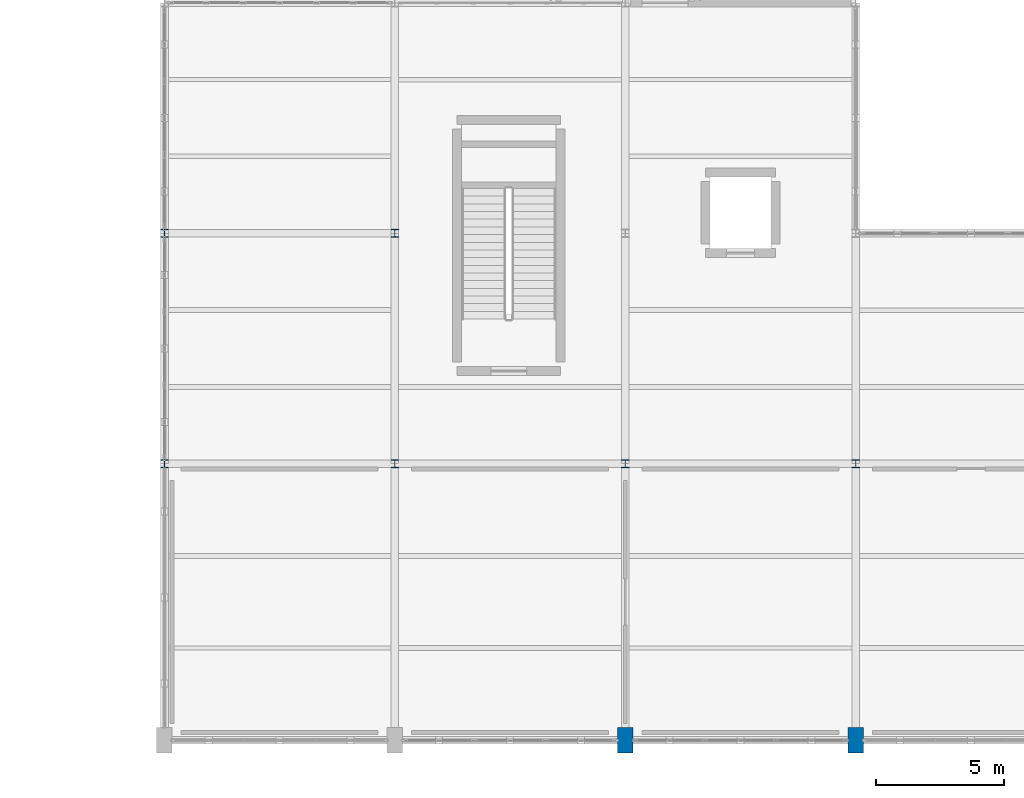
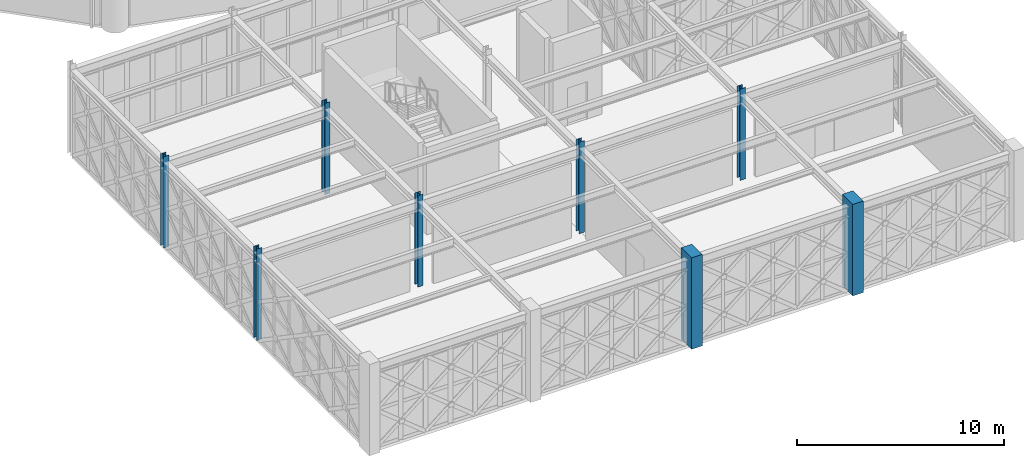
# One storey, part 2 of 155: 8 columns.
"""IFC4 building model written with IfcOpenShell, lengths in metres."""

from ifc_helpers import new_model, si_unit, direction, frame, origin, origin_2d, place, context, subcontext, project, spatial, rectangle, i_section, extrude, material, material_profile, profile_set, type_object, element, save


model = new_model("IFC4")

# Units and contexts
model_context = context("Model", 3, precision=1e-05, world=origin(), true_north=direction((0.0, 1.0)))
body_context = subcontext(model_context, "Body", "Model", "MODEL_VIEW")
ifc_project = project(units=[si_unit("LENGTHUNIT", "METRE"), si_unit("AREAUNIT", "SQUARE_METRE"), si_unit("VOLUMEUNIT", "CUBIC_METRE"), si_unit("PLANEANGLEUNIT", "RADIAN"), si_unit("MASSUNIT", "GRAM", prefix="KILO")], contexts=[model_context])

# Site, building, storey
site_placement = place(None, origin())
site = spatial("IfcSite", under=ifc_project, at=site_placement, CompositionType="ELEMENT")
building_placement = place(site_placement, origin())
building = spatial("IfcBuilding", under=site, at=building_placement, Name="Haizhuo Lancet Aquarium", CompositionType="ELEMENT")
storey_placement = place(building_placement, frame((0.0, 0.0, 10.800048828125)))
storey = spatial("IfcBuildingStorey", under=building, at=storey_placement, Name="L02", CompositionType="ELEMENT", Elevation=10.800048828125)

# Columns
ifc_material_1 = material(Name="Steel S355", Category="steel")
ifc_material_profile_1 = material_profile(ifc_material_1, i_section(OverallWidth=0.300048828125, OverallDepth=0.300048828125, WebThickness=0.010009765625, FlangeThickness=0.014892578125, FilletRadius=0.01806640625, at=origin_2d()), Name="HW 300x300x10x15")
ifc_profile_set_1 = profile_set([ifc_material_profile_1], Name="Steel S355")
column_type_1 = type_object("IfcColumnType", Name="COL-ST-HW300", PredefinedType="COLUMN", material=ifc_profile_set_1)
for number, where, z_axis, x_axis, name in (
    (1, (-18.0, -45.0, 0.0), (0.0, 0.0, 1.0), (1.0, 0.0, 0.0), "L02 column V4-COL-067"),
    (2, (-18.0, -36.0, 0.0), (0.0, 0.0, 1.0), (1.0, 0.0, 0.0), "L02 column V4-COL-068"),
    (3, (-9.0, -45.0, 0.0), (0.0, 0.0, 1.0), (1.0, 0.0, 0.0), "L02 column V4-COL-071"),
    (4, (-9.0, -36.0, 0.0), (0.0, 0.0, 1.0), (1.0, 0.0, 0.0), "L02 column V4-COL-072"),
    (5, (0.0, -45.0, 0.0), (0.0, 0.0, 1.0), (1.0, 0.0, 0.0), "L02 column V4-COL-075"),
    (6, (9.0, -45.0, 0.0), (0.0, 0.0, 1.0), (1.0, 0.0, 0.0), "L02 column V4-COL-079"),
):
    element("IfcColumn", number, at=place(storey_placement, frame(where, z_axis=z_axis, x_axis=x_axis)), inside=storey, type_object=column_type_1, Name=name, PredefinedType="COLUMN", context=body_context, shape_type="SweptSolid", body=[
        extrude(i_section(OverallWidth=0.300048828125, OverallDepth=0.300048828125, WebThickness=0.010009765625, FlangeThickness=0.014892578125, FilletRadius=0.01806640625, at=origin_2d()), origin(), (0.0, 0.0, 1.0), 5.39990234375),
    ])
ifc_material_2 = material(Name="Concrete C45/55", Category="concrete")
ifc_material_profile_2 = material_profile(ifc_material_2, rectangle(XDim=0.60009765625, YDim=1.0, at=origin_2d()), Name="RC-PIL 600x1000")
ifc_profile_set_2 = profile_set([ifc_material_profile_2], Name="Concrete C45/55")
column_type_2 = type_object("IfcColumnType", Name="PIL-RC-600x1000", PredefinedType="PILASTER", material=ifc_profile_set_2)
for number, where, z_axis, x_axis, name in (
    (7, (0.0, -55.800048828125, 0.0), (0.0, 0.0, 1.0), (1.0, 0.0, 0.0), "L02 column V4-COL-074"),
    (8, (9.0, -55.800048828125, 0.0), (0.0, 0.0, 1.0), (1.0, 0.0, 0.0), "L02 column V4-COL-078"),
):
    element("IfcColumn", number, at=place(storey_placement, frame(where, z_axis=z_axis, x_axis=x_axis)), inside=storey, type_object=column_type_2, Name=name, PredefinedType="PILASTER", context=body_context, shape_type="SweptSolid", body=[
        extrude(rectangle(XDim=0.60009765625, YDim=1.0, at=origin_2d()), origin(), (0.0, 0.0, 1.0), 5.39990234375),
    ])

save(model, "model.ifc")
